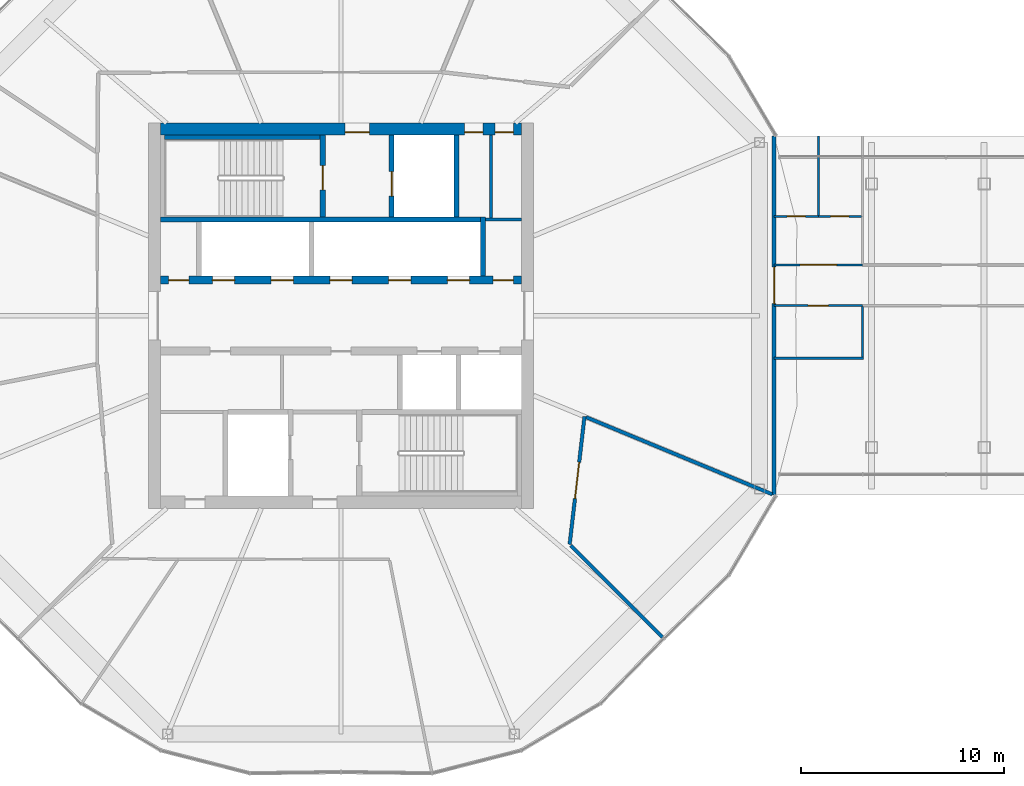
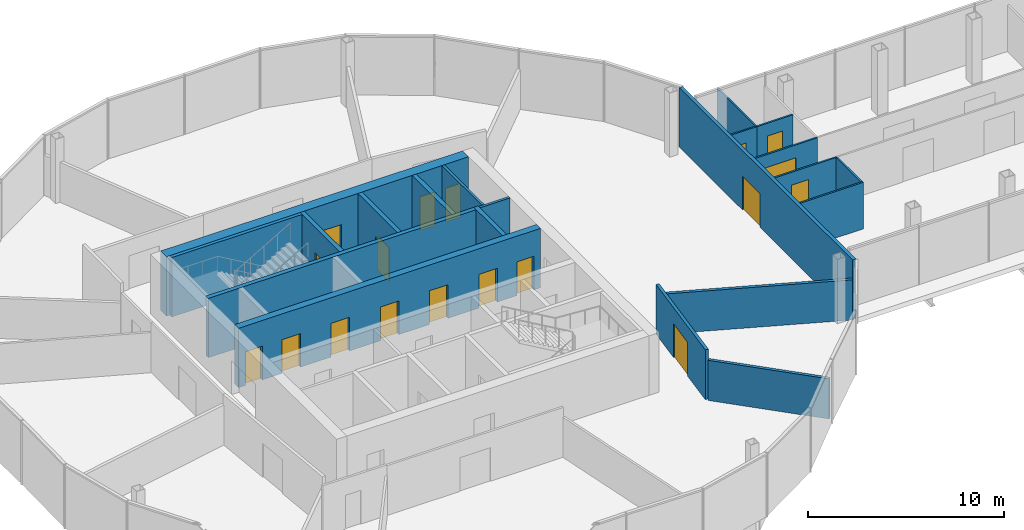
# One storey, part 20 of 25: 21 walls, 18 doors, 18 openings.
"""IFC4 building model written with IfcOpenShell, lengths in metres."""

from ifc_helpers import new_model, si_unit, direction, frame, frame_2d, origin, place, context, subcontext, project, spatial, rectangle, extrude, material, layer, layer_set, type_object, element, fill, save


model = new_model("IFC4")

# Units and contexts
model_context = context("Model", 3, precision=1e-05, world=origin(), true_north=direction((0.0, 1.0)))
body_context = subcontext(model_context, "Body", "Model", "MODEL_VIEW")
ifc_project = project(units=[si_unit("LENGTHUNIT", "METRE"), si_unit("AREAUNIT", "SQUARE_METRE"), si_unit("VOLUMEUNIT", "CUBIC_METRE"), si_unit("PLANEANGLEUNIT", "RADIAN"), si_unit("MASSUNIT", "GRAM", prefix="KILO")], contexts=[model_context])

# Site, building, storey
site_placement = place(None, origin())
site = spatial("IfcSite", under=ifc_project, at=site_placement, CompositionType="ELEMENT")
building_placement = place(site_placement, origin())
building = spatial("IfcBuilding", under=site, at=building_placement, Name="Ogive Gate Towers", CompositionType="ELEMENT")
storey_placement = place(building_placement, frame((0.0, 0.0, 152.800048828125)))
storey = spatial("IfcBuildingStorey", under=building, at=storey_placement, Name="L36", CompositionType="ELEMENT", Elevation=152.800048828125)

# Walls
ifc_material_1 = material(Name="Gypsum board acoustic partition")
ifc_layer_1 = layer(ifc_material_1, 0.175048828125)
ifc_layer_set_1 = layer_set([ifc_layer_1], Name="Acoustic partition 175")
wall_type_1 = type_object("IfcWallType", Name="Acoustic partition 175", PredefinedType="PARTITIONING", material=ifc_layer_set_1)
wall_1_placement = place(storey_placement, frame((-20.140380859375, -15.859619140625, 0.0), z_axis=(0.0, 0.0, 1.0), x_axis=(-0.707106781187, 0.707106781187, 0.0)))
element("IfcWall", 1, at=wall_1_placement, inside=storey, type_object=wall_type_1, Name="Partition T1-L36-010", PredefinedType="PARTITIONING", context=body_context, shape_type="SweptSolid", body=[
    extrude(rectangle(XDim=6.3916015625, YDim=0.175048828125, at=frame_2d((3.19580078125, 0.0))), origin(), (0.0, 0.0, 1.0), 2.5),
])
wall_2_placement = place(storey_placement, frame((-14.730712890625, -8.81005859375, 0.0), z_axis=(0.0, 0.0, 1.0), x_axis=(-0.923878434084, 0.382686084192, 0.0)))
element("IfcWall", 2, at=wall_2_placement, inside=storey, type_object=wall_type_1, Name="Partition T1-L36-011", PredefinedType="PARTITIONING", context=body_context, shape_type="SweptSolid", body=[
    extrude(rectangle(XDim=9.93310546875, YDim=0.175048828125, at=frame_2d((4.966552734375, 0.0))), origin(), (0.0, 0.0, 1.0), 2.5),
])

# Wall, opening, door
wall_3_placement = place(storey_placement, frame((-24.7216796875, -11.2783203125, 0.0), z_axis=(0.0, 0.0, 1.0), x_axis=(0.1155397024, 0.993302862761, 0.0)))
wall_3 = element("IfcWall", 3, at=wall_3_placement, inside=storey, type_object=wall_type_1, Name="Partition T1-L36-021", PredefinedType="PARTITIONING", context=body_context, shape_type="SweptSolid", body=[
    extrude(rectangle(XDim=6.345458984375, YDim=0.175048828125, at=frame_2d((3.1728515625, 0.0))), origin(), (0.0, 0.0, 1.0), 3.099853515625),
])
opening_1_placement = place(wall_3_placement, frame((2.27294921875, 0.0, 0.0)))
opening_1 = element("IfcOpeningElement", 4, at=opening_1_placement, cuts=wall_3, Name="Opening T1-L36-D09", PredefinedType="OPENING", context=body_context, shape_type="SweptSolid", body=[
    extrude(rectangle(XDim=1.800048828125, YDim=2.10009765625, at=frame_2d((0.89990234375, 1.050048828125))), frame((0.0, 0.09765625, 0.0), z_axis=(0.0, -1.0, 0.0), x_axis=(1.0, 0.0, 0.0)), (0.0, 0.0, 1.0), 0.195068359375),
])
ifc_material_2 = material(Name="Timber door", Category="wood")
door_type_1 = type_object("IfcDoorType", Name="Door pair 1800", OperationType="NOTDEFINED", PredefinedType="DOOR", material=ifc_material_2)
door_1_placement = place(opening_1_placement, origin())
door_1 = element("IfcDoor", 5, at=door_1_placement, inside=storey, type_object=door_type_1, Name="Door T1-L36-D09", OperationType="DOUBLE_DOOR_DOUBLE_SWING", OverallHeight=2.10009765625, OverallWidth=1.800048828125, PredefinedType="DOOR", context=body_context, shape_type="SweptSolid", body=[
    extrude(rectangle(XDim=1.800048828125, YDim=2.10009765625, at=frame_2d((0.89990234375, 1.050048828125))), frame((0.0, 0.02490234375, 0.0), z_axis=(0.0, -1.0, 0.0), x_axis=(1.0, 0.0, 0.0)), (0.0, 0.0, 1.0), 0.050048828125),
])
fill(opening_1, door_1)

# Wall, openings, doors
ifc_material_3 = material(Name="Concrete C60/75", Category="concrete")
ifc_layer_2 = layer(ifc_material_3, 0.60009765625)
ifc_layer_set_2 = layer_set([ifc_layer_2], Name="Core wall 600 mm")
wall_type_2 = type_object("IfcWallType", Name="Core wall 600 mm", PredefinedType="SHEAR", material=ifc_layer_set_2)
wall_4_placement = place(storey_placement, frame((-44.89990234375, 9.199951171875, 0.0), z_axis=(0.0, 0.0, 1.0), x_axis=(1.0, 0.0, 0.0)))
wall_4 = element("IfcWall", 6, at=wall_4_placement, inside=storey, type_object=wall_type_2, Name="T1 L36 Core wall 600 mm", PredefinedType="SHEAR", context=body_context, shape_type="SweptSolid", body=[
    extrude(rectangle(XDim=17.7998046875, YDim=0.60009765625, at=frame_2d((8.89990234375, 0.0))), origin(), (0.0, 0.0, 1.0), 3.699951171875),
])
opening_2_placement = place(wall_4_placement, frame((9.10009765625, 0.0, 0.0)))
opening_2 = element("IfcOpeningElement", 7, at=opening_2_placement, cuts=wall_4, Name="Opening KD-T1-L36-18", PredefinedType="OPENING", context=body_context, shape_type="SweptSolid", body=[
    extrude(rectangle(XDim=1.199951171875, YDim=2.10009765625, at=frame_2d((0.60009765625, 1.050048828125))), frame((0.0, 0.31005859375, 0.0), z_axis=(0.0, -1.0, 0.0), x_axis=(1.0, 0.0, 0.0)), (0.0, 0.0, 1.0), 0.6201171875),
])
opening_3_placement = place(wall_4_placement, frame((15.0, 0.0, 0.0)))
opening_3 = element("IfcOpeningElement", 8, at=opening_3_placement, cuts=wall_4, Name="Opening KD-T1-L36-20", PredefinedType="OPENING", context=body_context, shape_type="SweptSolid", body=[
    extrude(rectangle(XDim=0.89990234375, YDim=2.10009765625, at=frame_2d((0.449951171875, 1.050048828125))), frame((0.0, 0.31005859375, 0.0), z_axis=(0.0, -1.0, 0.0), x_axis=(1.0, 0.0, 0.0)), (0.0, 0.0, 1.0), 0.6201171875),
])
opening_4_placement = place(wall_4_placement, frame((16.5, 0.0, 0.0)))
opening_4 = element("IfcOpeningElement", 9, at=opening_4_placement, cuts=wall_4, Name="Opening KD-T1-L36-21", PredefinedType="OPENING", context=body_context, shape_type="SweptSolid", body=[
    extrude(rectangle(XDim=0.89990234375, YDim=2.10009765625, at=frame_2d((0.449951171875, 1.050048828125))), frame((0.0, 0.31005859375, 0.0), z_axis=(0.0, -1.0, 0.0), x_axis=(1.0, 0.0, 0.0)), (0.0, 0.0, 1.0), 0.6201171875),
])
door_type_2 = type_object("IfcDoorType", Name="Core WC door 900 x 2100", OperationType="NOTDEFINED", PredefinedType="DOOR", material=ifc_material_2)
door_2_placement = place(opening_3_placement, origin())
door_2 = element("IfcDoor", 10, at=door_2_placement, inside=storey, type_object=door_type_2, Name="T1 L36 Core door", OperationType="SINGLE_SWING_LEFT", OverallHeight=2.10009765625, OverallWidth=0.89990234375, PredefinedType="DOOR", context=body_context, shape_type="SweptSolid", body=[
    extrude(rectangle(XDim=0.89990234375, YDim=2.10009765625, at=frame_2d((0.449951171875, 1.050048828125))), frame((0.0, -0.125, 0.0), z_axis=(0.0, -1.0, 0.0), x_axis=(1.0, 0.0, 0.0)), (0.0, 0.0, 1.0), 0.050048828125),
])
fill(opening_3, door_2)
door_3_placement = place(opening_4_placement, origin())
door_3 = element("IfcDoor", 11, at=door_3_placement, inside=storey, type_object=door_type_2, Name="T1 L36 Core door", OperationType="SINGLE_SWING_RIGHT", OverallHeight=2.10009765625, OverallWidth=0.89990234375, PredefinedType="DOOR", context=body_context, shape_type="SweptSolid", body=[
    extrude(rectangle(XDim=0.89990234375, YDim=2.10009765625, at=frame_2d((0.449951171875, 1.050048828125))), frame((0.0, -0.125, 0.0), z_axis=(0.0, -1.0, 0.0), x_axis=(1.0, 0.0, 0.0)), (0.0, 0.0, 1.0), 0.050048828125),
])
fill(opening_4, door_3)
ifc_material_4 = material(Name="Steel fire door", Category="steel")
door_type_3 = type_object("IfcDoorType", Name="Core door FD60S 1200 x 2100", OperationType="NOTDEFINED", PredefinedType="DOOR", material=ifc_material_4)
door_4_placement = place(opening_2_placement, origin())
door_4 = element("IfcDoor", 12, at=door_4_placement, inside=storey, type_object=door_type_3, Name="T1 L36 Fire-fighting lobby door", OperationType="SINGLE_SWING_LEFT", OverallHeight=2.10009765625, OverallWidth=1.199951171875, PredefinedType="DOOR", context=body_context, shape_type="SweptSolid", body=[
    extrude(rectangle(XDim=1.199951171875, YDim=2.10009765625, at=frame_2d((0.60009765625, 1.050048828125))), frame((0.0, -0.125, 0.0), z_axis=(0.0, -1.0, 0.0), x_axis=(1.0, 0.0, 0.0)), (0.0, 0.0, 1.0), 0.050048828125),
])
fill(opening_2, door_4)

# Wall, opening, door
ifc_material_5 = material(Name="Gypsum board partition")
ifc_layer_3 = layer(ifc_material_5, 0.10009765625)
ifc_layer_set_3 = layer_set([ifc_layer_3], Name="Partition wall 100")
wall_type_3 = type_object("IfcWallType", Name="Partition wall 100", PredefinedType="PARTITIONING", material=ifc_layer_set_3)
wall_5_placement = place(storey_placement, frame((-14.630615234375, 2.5, 0.0), z_axis=(0.0, 0.0, 1.0), x_axis=(1.0, 0.0, 0.0)))
wall_5 = element("IfcWall", 13, at=wall_5_placement, inside=storey, type_object=wall_type_3, Name="L36 partition 001", PredefinedType="PARTITIONING", context=body_context, shape_type="SweptSolid", body=[
    extrude(rectangle(XDim=4.35009765625, YDim=0.10009765625, at=frame_2d((2.175048828125, 0.0))), origin(), (0.0, 0.0, 1.0), 2.89990234375),
])
opening_5_placement = place(wall_5_placement, frame((1.275146484375, 0.0, 0.0)))
opening_5 = element("IfcOpeningElement", 14, at=opening_5_placement, cuts=wall_5, Name="Opening PO268", PredefinedType="OPENING", context=body_context, shape_type="SweptSolid", body=[
    extrude(rectangle(XDim=1.800048828125, YDim=2.10009765625, at=frame_2d((0.89990234375, 1.050048828125))), frame((0.0, 0.06005859375, 0.0), z_axis=(0.0, -1.0, 0.0), x_axis=(1.0, 0.0, 0.0)), (0.0, 0.0, 1.0), 0.1201171875),
])
door_type_4 = type_object("IfcDoorType", Name="Double door 1800 x 2100", OperationType="NOTDEFINED", PredefinedType="DOOR", material=ifc_material_2)
door_5_placement = place(opening_5_placement, origin())
door_5 = element("IfcDoor", 15, at=door_5_placement, inside=storey, type_object=door_type_4, Name="Door PO268", OperationType="DOUBLE_DOOR_DOUBLE_SWING", OverallHeight=2.10009765625, OverallWidth=1.800048828125, PredefinedType="DOOR", context=body_context, shape_type="SweptSolid", body=[
    extrude(rectangle(XDim=1.800048828125, YDim=2.10009765625, at=frame_2d((0.89990234375, 1.050048828125))), frame((0.0, 0.02490234375, 0.0), z_axis=(0.0, -1.0, 0.0), x_axis=(1.0, 0.0, 0.0)), (0.0, 0.0, 1.0), 0.050048828125),
])
fill(opening_5, door_5)

wall_6_placement = place(storey_placement, frame((-14.630615234375, 0.5, 0.0), z_axis=(0.0, 0.0, 1.0), x_axis=(1.0, 0.0, 0.0)))
wall_6 = element("IfcWall", 16, at=wall_6_placement, inside=storey, type_object=wall_type_3, Name="L36 partition 002", PredefinedType="PARTITIONING", context=body_context, shape_type="SweptSolid", body=[
    extrude(rectangle(XDim=4.35009765625, YDim=0.10009765625, at=frame_2d((2.175048828125, 0.0))), origin(), (0.0, 0.0, 1.0), 2.89990234375),
])
opening_6_placement = place(wall_6_placement, frame((1.675048828125, 0.0, 0.0)))
opening_6 = element("IfcOpeningElement", 17, at=opening_6_placement, cuts=wall_6, Name="Opening PO271", PredefinedType="OPENING", context=body_context, shape_type="SweptSolid", body=[
    extrude(rectangle(XDim=1.0, YDim=2.10009765625, at=frame_2d((0.5, 1.050048828125))), frame((0.0, 0.06005859375, 0.0), z_axis=(0.0, -1.0, 0.0), x_axis=(1.0, 0.0, 0.0)), (0.0, 0.0, 1.0), 0.1201171875),
])
door_type_5 = type_object("IfcDoorType", Name="Door 1000 x 2100", OperationType="NOTDEFINED", PredefinedType="DOOR", material=ifc_material_2)
door_6_placement = place(opening_6_placement, origin())
door_6 = element("IfcDoor", 18, at=door_6_placement, inside=storey, type_object=door_type_5, Name="Door PO271", OperationType="SINGLE_SWING_LEFT", OverallHeight=2.10009765625, OverallWidth=1.0, PredefinedType="DOOR", context=body_context, shape_type="SweptSolid", body=[
    extrude(rectangle(XDim=1.0, YDim=2.10009765625, at=frame_2d((0.5, 1.050048828125))), frame((0.0, 0.02490234375, 0.0), z_axis=(0.0, -1.0, 0.0), x_axis=(1.0, 0.0, 0.0)), (0.0, 0.0, 1.0), 0.050048828125),
])
fill(opening_6, door_6)

wall_7_placement = place(storey_placement, frame((-14.630615234375, 4.89990234375, 0.0), z_axis=(0.0, 0.0, 1.0), x_axis=(1.0, 0.0, 0.0)))
wall_7 = element("IfcWall", 19, at=wall_7_placement, inside=storey, type_object=wall_type_3, Name="L36 partition 008", PredefinedType="PARTITIONING", context=body_context, shape_type="SweptSolid", body=[
    extrude(rectangle(XDim=2.175048828125, YDim=0.10009765625, at=frame_2d((1.08740234375, 0.0))), origin(), (0.0, 0.0, 1.0), 2.89990234375),
])
opening_7_placement = place(wall_7_placement, frame((0.637451171875, 0.0, 0.0)))
opening_7 = element("IfcOpeningElement", 20, at=opening_7_placement, cuts=wall_7, Name="Opening PO269", PredefinedType="OPENING", context=body_context, shape_type="SweptSolid", body=[
    extrude(rectangle(XDim=0.89990234375, YDim=2.10009765625, at=frame_2d((0.449951171875, 1.050048828125))), frame((0.0, 0.06005859375, 0.0), z_axis=(0.0, -1.0, 0.0), x_axis=(1.0, 0.0, 0.0)), (0.0, 0.0, 1.0), 0.1201171875),
])
door_type_6 = type_object("IfcDoorType", Name="Door 900 x 2100", OperationType="NOTDEFINED", PredefinedType="DOOR", material=ifc_material_2)
door_7_placement = place(opening_7_placement, origin())
door_7 = element("IfcDoor", 21, at=door_7_placement, inside=storey, type_object=door_type_6, Name="Door PO269", OperationType="SINGLE_SWING_LEFT", OverallHeight=2.10009765625, OverallWidth=0.89990234375, PredefinedType="DOOR", context=body_context, shape_type="SweptSolid", body=[
    extrude(rectangle(XDim=0.89990234375, YDim=2.10009765625, at=frame_2d((0.449951171875, 1.050048828125))), frame((0.0, 0.02490234375, 0.0), z_axis=(0.0, -1.0, 0.0), x_axis=(1.0, 0.0, 0.0)), (0.0, 0.0, 1.0), 0.050048828125),
])
fill(opening_7, door_7)

wall_8_placement = place(storey_placement, frame((-12.45556640625, 4.89990234375, 0.0), z_axis=(0.0, 0.0, 1.0), x_axis=(1.0, 0.0, 0.0)))
wall_8 = element("IfcWall", 22, at=wall_8_placement, inside=storey, type_object=wall_type_3, Name="L36 partition 009", PredefinedType="PARTITIONING", context=body_context, shape_type="SweptSolid", body=[
    extrude(rectangle(XDim=2.125, YDim=0.10009765625, at=frame_2d((1.0625, 0.0))), origin(), (0.0, 0.0, 1.0), 2.89990234375),
])
opening_8_placement = place(wall_8_placement, frame((0.612548828125, 0.0, 0.0)))
opening_8 = element("IfcOpeningElement", 23, at=opening_8_placement, cuts=wall_8, Name="Opening PO270", PredefinedType="OPENING", context=body_context, shape_type="SweptSolid", body=[
    extrude(rectangle(XDim=0.89990234375, YDim=2.10009765625, at=frame_2d((0.449951171875, 1.050048828125))), frame((0.0, 0.06005859375, 0.0), z_axis=(0.0, -1.0, 0.0), x_axis=(1.0, 0.0, 0.0)), (0.0, 0.0, 1.0), 0.1201171875),
])
door_8_placement = place(opening_8_placement, origin())
door_8 = element("IfcDoor", 24, at=door_8_placement, inside=storey, type_object=door_type_6, Name="Door PO270", OperationType="SINGLE_SWING_RIGHT", OverallHeight=2.10009765625, OverallWidth=0.89990234375, PredefinedType="DOOR", context=body_context, shape_type="SweptSolid", body=[
    extrude(rectangle(XDim=0.89990234375, YDim=2.10009765625, at=frame_2d((0.449951171875, 1.050048828125))), frame((0.0, 0.02490234375, 0.0), z_axis=(0.0, -1.0, 0.0), x_axis=(1.0, 0.0, 0.0)), (0.0, 0.0, 1.0), 0.050048828125),
])
fill(opening_8, door_8)

# Walls
wall_9_placement = place(storey_placement, frame((-12.45556640625, 4.949951171875, 0.0), z_axis=(0.0, 0.0, 1.0), x_axis=(0.0, 1.0, 0.0)))
element("IfcWall", 25, at=wall_9_placement, inside=storey, type_object=wall_type_3, Name="L36 partition 011", PredefinedType="PARTITIONING", context=body_context, shape_type="SweptSolid", body=[
    extrude(rectangle(XDim=3.901611328125, YDim=0.10009765625, at=frame_2d((1.95068359375, 0.0))), origin(), (0.0, 0.0, 1.0), 2.89990234375),
])
wall_10_placement = place(storey_placement, frame((-14.630615234375, -2.10009765625, 0.0), z_axis=(0.0, 0.0, 1.0), x_axis=(1.0, 0.0, 0.0)))
element("IfcWall", 26, at=wall_10_placement, inside=storey, type_object=wall_type_3, Name="L36 partition 013", PredefinedType="PARTITIONING", context=body_context, shape_type="SweptSolid", body=[
    extrude(rectangle(XDim=4.400146484375, YDim=0.10009765625, at=frame_2d((2.2001953125, 0.0))), origin(), (0.0, 0.0, 1.0), 2.89990234375),
])
wall_11_placement = place(storey_placement, frame((-10.280517578125, -2.050048828125, 0.0), z_axis=(0.0, 0.0, 1.0), x_axis=(0.0, 1.0, 0.0)))
element("IfcWall", 27, at=wall_11_placement, inside=storey, type_object=wall_type_3, Name="L36 partition 014", PredefinedType="PARTITIONING", context=body_context, shape_type="SweptSolid", body=[
    extrude(rectangle(XDim=2.5, YDim=0.10009765625, at=frame_2d((1.25, 0.0))), origin(), (0.0, 0.0, 1.0), 2.89990234375),
])

# Wall, opening, door
ifc_material_6 = material(Name="Masonry block wall", Category="masonry")
ifc_layer_4 = layer(ifc_material_6, 0.199951171875)
ifc_layer_set_4 = layer_set([ifc_layer_4], Name="Partition wall 200")
wall_type_4 = type_object("IfcWallType", Name="Partition wall 200", PredefinedType="PARTITIONING", material=ifc_layer_set_4)
wall_12_placement = place(storey_placement, frame((-14.630615234375, -8.8515625, 0.0), z_axis=(0.0, 0.0, 1.0), x_axis=(0.0, 1.0, 0.0)))
wall_12 = element("IfcWall", 28, at=wall_12_placement, inside=storey, type_object=wall_type_4, Name="L36 wall 018", PredefinedType="PARTITIONING", context=body_context, shape_type="SweptSolid", body=[
    extrude(rectangle(XDim=17.703125, YDim=0.199951171875, at=frame_2d((8.8515625, 0.0))), origin(), (0.0, 0.0, 1.0), 3.699951171875),
])
opening_9_placement = place(wall_12_placement, frame((9.451416015625, 0.0, 0.0)))
opening_9 = element("IfcOpeningElement", 29, at=opening_9_placement, cuts=wall_12, Name="Opening PO280", PredefinedType="OPENING", context=body_context, shape_type="SweptSolid", body=[
    extrude(rectangle(XDim=1.800048828125, YDim=2.10009765625, at=frame_2d((0.89990234375, 1.050048828125))), frame((0.0, 0.10986328125, 0.0), z_axis=(0.0, -1.0, 0.0), x_axis=(1.0, 0.0, 0.0)), (0.0, 0.0, 1.0), 0.219970703125),
])
door_type_7 = type_object("IfcDoorType", Name="Interior fire double door FD120S 1800 x 2100", OperationType="NOTDEFINED", PredefinedType="DOOR", material=ifc_material_4)
door_9_placement = place(opening_9_placement, origin())
door_9 = element("IfcDoor", 30, at=door_9_placement, inside=storey, type_object=door_type_7, Name="Door PO280", OperationType="DOUBLE_DOOR_DOUBLE_SWING", OverallHeight=2.10009765625, OverallWidth=1.800048828125, PredefinedType="DOOR", context=body_context, shape_type="SweptSolid", body=[
    extrude(rectangle(XDim=1.800048828125, YDim=2.10009765625, at=frame_2d((0.89990234375, 1.050048828125))), frame((0.0, 0.02490234375, 0.0), z_axis=(0.0, -1.0, 0.0), x_axis=(1.0, 0.0, 0.0)), (0.0, 0.0, 1.0), 0.050048828125),
])
fill(opening_9, door_9)

# Walls
ifc_layer_5 = layer(ifc_material_5, 0.14990234375)
ifc_layer_set_5 = layer_set([ifc_layer_5], Name="Room partition 150 mm")
wall_type_5 = type_object("IfcWallType", Name="Room partition 150 mm", PredefinedType="PARTITIONING", material=ifc_layer_set_5)
wall_13_placement = place(storey_placement, frame((-28.875, 4.75, 0.0), z_axis=(0.0, 0.0, 1.0), x_axis=(1.0, 0.0, 0.0)))
element("IfcWall", 31, at=wall_13_placement, inside=storey, type_object=wall_type_5, Name="T1 L36 Room partition 150 mm", PredefinedType="PARTITIONING", context=body_context, shape_type="SweptSolid", body=[
    extrude(rectangle(XDim=1.77490234375, YDim=0.14990234375, at=frame_2d((0.887451171875, 0.0))), origin(), (0.0, 0.0, 1.0), 3.699951171875),
])
wall_14_placement = place(storey_placement, frame((-28.60009765625, 4.824951171875, 0.0), z_axis=(0.0, 0.0, 1.0), x_axis=(0.0, 1.0, 0.0)))
element("IfcWall", 32, at=wall_14_placement, inside=storey, type_object=wall_type_5, Name="T1 L36 Room partition 150 mm", PredefinedType="PARTITIONING", context=body_context, shape_type="SweptSolid", body=[
    extrude(rectangle(XDim=4.074951171875, YDim=0.14990234375, at=frame_2d((2.03759765625, 0.0))), origin(), (0.0, 0.0, 1.0), 3.699951171875),
])
ifc_layer_6 = layer(ifc_material_3, 0.25)
ifc_layer_set_6 = layer_set([ifc_layer_6], Name="Shaft wall 250 mm")
wall_type_6 = type_object("IfcWallType", Name="Shaft wall 250 mm", PredefinedType="SHEAR", material=ifc_layer_set_6)
wall_15_placement = place(storey_placement, frame((-44.89990234375, 4.75, 0.0), z_axis=(0.0, 0.0, 1.0), x_axis=(1.0, 0.0, 0.0)))
element("IfcWall", 33, at=wall_15_placement, inside=storey, type_object=wall_type_6, Name="T1 L36 Shaft wall 250 mm", PredefinedType="SHEAR", context=body_context, shape_type="SweptSolid", body=[
    extrude(rectangle(XDim=15.77490234375, YDim=0.25, at=frame_2d((7.887451171875, 0.0))), origin(), (0.0, 0.0, 1.0), 3.699951171875),
])

# Wall, opening, door
wall_16_placement = place(storey_placement, frame((-36.89990234375, 4.875, 0.0), z_axis=(0.0, 0.0, 1.0), x_axis=(0.0, 1.0, 0.0)))
wall_16 = element("IfcWall", 34, at=wall_16_placement, inside=storey, type_object=wall_type_6, Name="T1 L36 Shaft wall 250 mm", PredefinedType="SHEAR", context=body_context, shape_type="SweptSolid", body=[
    extrude(rectangle(XDim=4.02490234375, YDim=0.25, at=frame_2d((2.012451171875, 0.0))), origin(), (0.0, 0.0, 1.0), 3.699951171875),
])
opening_10_placement = place(wall_16_placement, frame((1.324951171875, 0.0, 0.0)))
opening_10 = element("IfcOpeningElement", 35, at=opening_10_placement, cuts=wall_16, Name="Opening KD-T1-L36-16", PredefinedType="OPENING", context=body_context, shape_type="SweptSolid", body=[
    extrude(rectangle(XDim=1.199951171875, YDim=2.10009765625, at=frame_2d((0.60009765625, 1.050048828125))), frame((0.0, 0.135009765625, 0.0), z_axis=(0.0, -1.0, 0.0), x_axis=(1.0, 0.0, 0.0)), (0.0, 0.0, 1.0), 0.27001953125),
])
door_10_placement = place(opening_10_placement, origin())
door_10 = element("IfcDoor", 36, at=door_10_placement, inside=storey, type_object=door_type_3, Name="T1 L36 Stair door", OperationType="SINGLE_SWING_LEFT", OverallHeight=2.10009765625, OverallWidth=1.199951171875, PredefinedType="DOOR", context=body_context, shape_type="SweptSolid", body=[
    extrude(rectangle(XDim=1.199951171875, YDim=2.10009765625, at=frame_2d((0.60009765625, 1.050048828125))), frame((0.0, 0.02490234375, 0.0), z_axis=(0.0, -1.0, 0.0), x_axis=(1.0, 0.0, 0.0)), (0.0, 0.0, 1.0), 0.050048828125),
])
fill(opening_10, door_10)

wall_17_placement = place(storey_placement, frame((-33.5, 4.875, 0.0), z_axis=(0.0, 0.0, 1.0), x_axis=(0.0, 1.0, 0.0)))
wall_17 = element("IfcWall", 37, at=wall_17_placement, inside=storey, type_object=wall_type_6, Name="T1 L36 Shaft wall 250 mm", PredefinedType="SHEAR", context=body_context, shape_type="SweptSolid", body=[
    extrude(rectangle(XDim=4.02490234375, YDim=0.25, at=frame_2d((2.012451171875, 0.0))), origin(), (0.0, 0.0, 1.0), 3.699951171875),
])
opening_11_placement = place(wall_17_placement, frame((1.02490234375, 0.0, 0.0)))
opening_11 = element("IfcOpeningElement", 38, at=opening_11_placement, cuts=wall_17, Name="Opening LD-T1-L36-12", PredefinedType="OPENING", context=body_context, shape_type="SweptSolid", body=[
    extrude(rectangle(XDim=1.199951171875, YDim=2.10009765625, at=frame_2d((0.60009765625, 1.050048828125))), frame((0.0, 0.135009765625, 0.0), z_axis=(0.0, -1.0, 0.0), x_axis=(1.0, 0.0, 0.0)), (0.0, 0.0, 1.0), 0.27001953125),
])
ifc_material_7 = material(Name="Stainless steel landing door", Category="steel")
door_type_8 = type_object("IfcDoorType", Name="Landing door 1200 x 2100", OperationType="SLIDING_TO_LEFT", PredefinedType="DOOR", material=ifc_material_7)
door_11_placement = place(opening_11_placement, origin())
door_11 = element("IfcDoor", 39, at=door_11_placement, inside=storey, type_object=door_type_8, Name="T1 L36 Lift landing door FF1", OperationType="SLIDING_TO_LEFT", OverallHeight=2.10009765625, OverallWidth=1.199951171875, PredefinedType="DOOR", context=body_context, shape_type="SweptSolid", body=[
    extrude(rectangle(XDim=1.199951171875, YDim=2.10009765625, at=frame_2d((0.60009765625, 1.050048828125))), frame((0.0, 0.02490234375, 0.0), z_axis=(0.0, -1.0, 0.0), x_axis=(1.0, 0.0, 0.0)), (0.0, 0.0, 1.0), 0.050048828125),
])
fill(opening_11, door_11)

# Walls
wall_18_placement = place(storey_placement, frame((-30.300048828125, 4.875, 0.0), z_axis=(0.0, 0.0, 1.0), x_axis=(0.0, 1.0, 0.0)))
element("IfcWall", 40, at=wall_18_placement, inside=storey, type_object=wall_type_6, Name="T1 L36 Shaft wall 250 mm", PredefinedType="SHEAR", context=body_context, shape_type="SweptSolid", body=[
    extrude(rectangle(XDim=4.02490234375, YDim=0.25, at=frame_2d((2.012451171875, 0.0))), origin(), (0.0, 0.0, 1.0), 3.699951171875),
])
wall_19_placement = place(storey_placement, frame((-29.0, 1.949951171875, 0.0), z_axis=(0.0, 0.0, 1.0), x_axis=(0.0, 1.0, 0.0)))
element("IfcWall", 41, at=wall_19_placement, inside=storey, type_object=wall_type_6, Name="T1 L36 Shaft wall 250 mm", PredefinedType="SHEAR", context=body_context, shape_type="SweptSolid", body=[
    extrude(rectangle(XDim=2.925048828125, YDim=0.25, at=frame_2d((1.46240234375, 0.0))), origin(), (0.0, 0.0, 1.0), 3.699951171875),
])

# Wall, openings, doors
ifc_layer_7 = layer(ifc_material_3, 0.39990234375)
ifc_layer_set_7 = layer_set([ifc_layer_7], Name="Spine wall 400 mm")
wall_type_7 = type_object("IfcWallType", Name="Spine wall 400 mm", PredefinedType="SHEAR", material=ifc_layer_set_7)
wall_20_placement = place(storey_placement, frame((-44.89990234375, 1.75, 0.0), z_axis=(0.0, 0.0, 1.0), x_axis=(1.0, 0.0, 0.0)))
wall_20 = element("IfcWall", 42, at=wall_20_placement, inside=storey, type_object=wall_type_7, Name="T1 L36 Spine wall 400 mm", PredefinedType="SHEAR", context=body_context, shape_type="SweptSolid", body=[
    extrude(rectangle(XDim=17.7998046875, YDim=0.39990234375, at=frame_2d((8.89990234375, 0.0))), origin(), (0.0, 0.0, 1.0), 3.699951171875),
])
opening_12_placement = place(wall_20_placement, frame((0.39990234375, 0.0, 0.0)))
opening_12 = element("IfcOpeningElement", 43, at=opening_12_placement, cuts=wall_20, Name="Opening KD-T1-L36-03", PredefinedType="OPENING", context=body_context, shape_type="SweptSolid", body=[
    extrude(rectangle(XDim=1.0, YDim=2.10009765625, at=frame_2d((0.5, 1.050048828125))), frame((0.0, 0.2099609375, 0.0), z_axis=(0.0, -1.0, 0.0), x_axis=(1.0, 0.0, 0.0)), (0.0, 0.0, 1.0), 0.419921875),
])
opening_13_placement = place(wall_20_placement, frame((2.550048828125, 0.0, 0.0)))
opening_13 = element("IfcOpeningElement", 44, at=opening_13_placement, cuts=wall_20, Name="Opening LD-T1-L36-04", PredefinedType="OPENING", context=body_context, shape_type="SweptSolid", body=[
    extrude(rectangle(XDim=1.10009765625, YDim=2.10009765625, at=frame_2d((0.550048828125, 1.050048828125))), frame((0.0, 0.2099609375, 0.0), z_axis=(0.0, -1.0, 0.0), x_axis=(1.0, 0.0, 0.0)), (0.0, 0.0, 1.0), 0.419921875),
])
opening_14_placement = place(wall_20_placement, frame((5.449951171875, 0.0, 0.0)))
opening_14 = element("IfcOpeningElement", 45, at=opening_14_placement, cuts=wall_20, Name="Opening LD-T1-L36-05", PredefinedType="OPENING", context=body_context, shape_type="SweptSolid", body=[
    extrude(rectangle(XDim=1.10009765625, YDim=2.10009765625, at=frame_2d((0.550048828125, 1.050048828125))), frame((0.0, 0.2099609375, 0.0), z_axis=(0.0, -1.0, 0.0), x_axis=(1.0, 0.0, 0.0)), (0.0, 0.0, 1.0), 0.419921875),
])
opening_15_placement = place(wall_20_placement, frame((8.35009765625, 0.0, 0.0)))
opening_15 = element("IfcOpeningElement", 46, at=opening_15_placement, cuts=wall_20, Name="Opening LD-T1-L36-06", PredefinedType="OPENING", context=body_context, shape_type="SweptSolid", body=[
    extrude(rectangle(XDim=1.10009765625, YDim=2.10009765625, at=frame_2d((0.550048828125, 1.050048828125))), frame((0.0, 0.2099609375, 0.0), z_axis=(0.0, -1.0, 0.0), x_axis=(1.0, 0.0, 0.0)), (0.0, 0.0, 1.0), 0.419921875),
])
opening_16_placement = place(wall_20_placement, frame((11.25, 0.0, 0.0)))
opening_16 = element("IfcOpeningElement", 47, at=opening_16_placement, cuts=wall_20, Name="Opening LD-T1-L36-07", PredefinedType="OPENING", context=body_context, shape_type="SweptSolid", body=[
    extrude(rectangle(XDim=1.10009765625, YDim=2.10009765625, at=frame_2d((0.550048828125, 1.050048828125))), frame((0.0, 0.2099609375, 0.0), z_axis=(0.0, -1.0, 0.0), x_axis=(1.0, 0.0, 0.0)), (0.0, 0.0, 1.0), 0.419921875),
])
opening_17_placement = place(wall_20_placement, frame((14.14990234375, 0.0, 0.0)))
opening_17 = element("IfcOpeningElement", 48, at=opening_17_placement, cuts=wall_20, Name="Opening LD-T1-L36-08", PredefinedType="OPENING", context=body_context, shape_type="SweptSolid", body=[
    extrude(rectangle(XDim=1.10009765625, YDim=2.10009765625, at=frame_2d((0.550048828125, 1.050048828125))), frame((0.0, 0.2099609375, 0.0), z_axis=(0.0, -1.0, 0.0), x_axis=(1.0, 0.0, 0.0)), (0.0, 0.0, 1.0), 0.419921875),
])
opening_18_placement = place(wall_20_placement, frame((16.39990234375, 0.0, 0.0)))
opening_18 = element("IfcOpeningElement", 49, at=opening_18_placement, cuts=wall_20, Name="Opening KD-T1-L36-09", PredefinedType="OPENING", context=body_context, shape_type="SweptSolid", body=[
    extrude(rectangle(XDim=1.0, YDim=2.10009765625, at=frame_2d((0.5, 1.050048828125))), frame((0.0, 0.2099609375, 0.0), z_axis=(0.0, -1.0, 0.0), x_axis=(1.0, 0.0, 0.0)), (0.0, 0.0, 1.0), 0.419921875),
])
door_type_9 = type_object("IfcDoorType", Name="Core door FD60S 1000 x 2100", OperationType="NOTDEFINED", PredefinedType="DOOR", material=ifc_material_4)
door_12_placement = place(opening_12_placement, origin())
door_12 = element("IfcDoor", 50, at=door_12_placement, inside=storey, type_object=door_type_9, Name="T1 L36 Core door", OperationType="SINGLE_SWING_RIGHT", OverallHeight=2.10009765625, OverallWidth=1.0, PredefinedType="DOOR", context=body_context, shape_type="SweptSolid", body=[
    extrude(rectangle(XDim=1.0, YDim=2.10009765625, at=frame_2d((0.5, 1.050048828125))), frame((0.0, 0.02490234375, 0.0), z_axis=(0.0, -1.0, 0.0), x_axis=(1.0, 0.0, 0.0)), (0.0, 0.0, 1.0), 0.050048828125),
])
fill(opening_12, door_12)
door_13_placement = place(opening_18_placement, origin())
door_13 = element("IfcDoor", 51, at=door_13_placement, inside=storey, type_object=door_type_9, Name="T1 L36 Core door", OperationType="SINGLE_SWING_RIGHT", OverallHeight=2.10009765625, OverallWidth=1.0, PredefinedType="DOOR", context=body_context, shape_type="SweptSolid", body=[
    extrude(rectangle(XDim=1.0, YDim=2.10009765625, at=frame_2d((0.5, 1.050048828125))), frame((0.0, 0.02490234375, 0.0), z_axis=(0.0, -1.0, 0.0), x_axis=(1.0, 0.0, 0.0)), (0.0, 0.0, 1.0), 0.050048828125),
])
fill(opening_18, door_13)
door_type_10 = type_object("IfcDoorType", Name="Landing door 1100 x 2100", OperationType="SLIDING_TO_LEFT", PredefinedType="DOOR", material=ifc_material_7)
door_14_placement = place(opening_13_placement, origin())
door_14 = element("IfcDoor", 52, at=door_14_placement, inside=storey, type_object=door_type_10, Name="T1 L36 Lift landing door B1", OperationType="SLIDING_TO_LEFT", OverallHeight=2.10009765625, OverallWidth=1.10009765625, PredefinedType="DOOR", context=body_context, shape_type="SweptSolid", body=[
    extrude(rectangle(XDim=1.10009765625, YDim=2.10009765625, at=frame_2d((0.550048828125, 1.050048828125))), frame((0.0, 0.02490234375, 0.0), z_axis=(0.0, -1.0, 0.0), x_axis=(1.0, 0.0, 0.0)), (0.0, 0.0, 1.0), 0.050048828125),
])
fill(opening_13, door_14)
door_15_placement = place(opening_14_placement, origin())
door_15 = element("IfcDoor", 53, at=door_15_placement, inside=storey, type_object=door_type_10, Name="T1 L36 Lift landing door B2", OperationType="SLIDING_TO_LEFT", OverallHeight=2.10009765625, OverallWidth=1.10009765625, PredefinedType="DOOR", context=body_context, shape_type="SweptSolid", body=[
    extrude(rectangle(XDim=1.10009765625, YDim=2.10009765625, at=frame_2d((0.550048828125, 1.050048828125))), frame((0.0, 0.02490234375, 0.0), z_axis=(0.0, -1.0, 0.0), x_axis=(1.0, 0.0, 0.0)), (0.0, 0.0, 1.0), 0.050048828125),
])
fill(opening_14, door_15)
door_16_placement = place(opening_15_placement, origin())
door_16 = element("IfcDoor", 54, at=door_16_placement, inside=storey, type_object=door_type_10, Name="T1 L36 Lift landing door B3", OperationType="SLIDING_TO_LEFT", OverallHeight=2.10009765625, OverallWidth=1.10009765625, PredefinedType="DOOR", context=body_context, shape_type="SweptSolid", body=[
    extrude(rectangle(XDim=1.10009765625, YDim=2.10009765625, at=frame_2d((0.550048828125, 1.050048828125))), frame((0.0, 0.02490234375, 0.0), z_axis=(0.0, -1.0, 0.0), x_axis=(1.0, 0.0, 0.0)), (0.0, 0.0, 1.0), 0.050048828125),
])
fill(opening_15, door_16)
door_17_placement = place(opening_16_placement, origin())
door_17 = element("IfcDoor", 55, at=door_17_placement, inside=storey, type_object=door_type_10, Name="T1 L36 Lift landing door B4", OperationType="SLIDING_TO_LEFT", OverallHeight=2.10009765625, OverallWidth=1.10009765625, PredefinedType="DOOR", context=body_context, shape_type="SweptSolid", body=[
    extrude(rectangle(XDim=1.10009765625, YDim=2.10009765625, at=frame_2d((0.550048828125, 1.050048828125))), frame((0.0, 0.02490234375, 0.0), z_axis=(0.0, -1.0, 0.0), x_axis=(1.0, 0.0, 0.0)), (0.0, 0.0, 1.0), 0.050048828125),
])
fill(opening_16, door_17)
door_18_placement = place(opening_17_placement, origin())
door_18 = element("IfcDoor", 56, at=door_18_placement, inside=storey, type_object=door_type_10, Name="T1 L36 Lift landing door B5", OperationType="SLIDING_TO_LEFT", OverallHeight=2.10009765625, OverallWidth=1.10009765625, PredefinedType="DOOR", context=body_context, shape_type="SweptSolid", body=[
    extrude(rectangle(XDim=1.10009765625, YDim=2.10009765625, at=frame_2d((0.550048828125, 1.050048828125))), frame((0.0, 0.02490234375, 0.0), z_axis=(0.0, -1.0, 0.0), x_axis=(1.0, 0.0, 0.0)), (0.0, 0.0, 1.0), 0.050048828125),
])
fill(opening_17, door_18)

# Wall
ifc_layer_8 = layer(ifc_material_3, 0.199951171875)
ifc_layer_set_8 = layer_set([ifc_layer_8], Name="Stair wall 200 mm")
wall_type_8 = type_object("IfcWallType", Name="Stair wall 200 mm", PredefinedType="SHEAR", material=ifc_layer_set_8)
wall_21_placement = place(storey_placement, frame((-44.699951171875, 8.800048828125, 0.0), z_axis=(0.0, 0.0, 1.0), x_axis=(1.0, 0.0, 0.0)))
element("IfcWall", 57, at=wall_21_placement, inside=storey, type_object=wall_type_8, Name="T1 L36 Stair wall 200 mm", PredefinedType="SHEAR", context=body_context, shape_type="SweptSolid", body=[
    extrude(rectangle(XDim=7.675048828125, YDim=0.199951171875, at=frame_2d((3.83740234375, 0.0))), origin(), (0.0, 0.0, 1.0), 3.699951171875),
])

save(model, "model.ifc")
